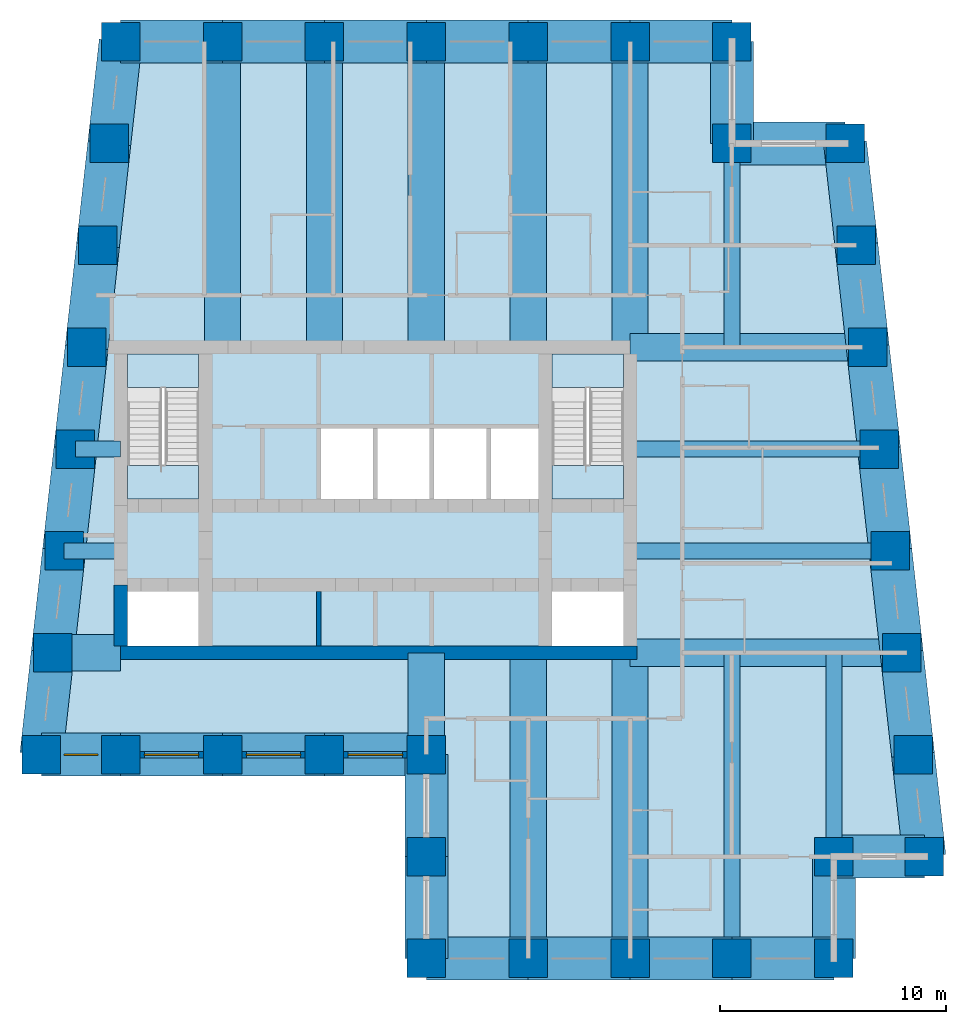
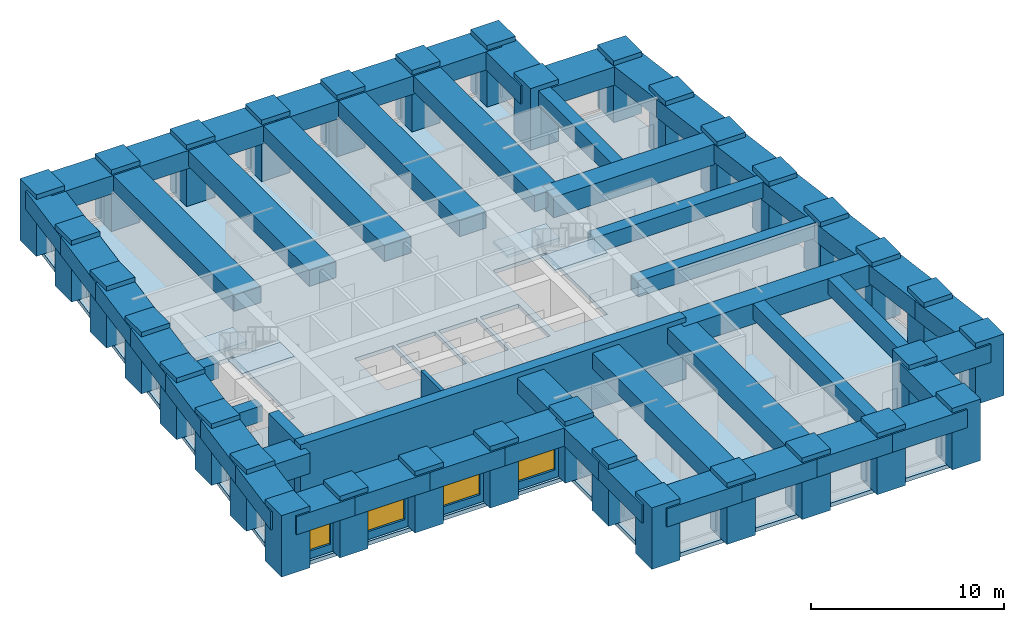
# One storey, part 1 of 7: 52 beams, 34 columns, 5 slabs, 4 walls, 4 windows, 4 openings, 2 elements without a shape of their own.
"""IFC4 building model written with IfcOpenShell, lengths in metres."""

from ifc_helpers import new_model, si_unit, direction, frame, frame_2d, origin, origin_2d, place, context, subcontext, project, spatial, polyline, rectangle, outline, extrude, material, layer, layer_set, material_profile, profile_set, type_object, element, fill, aggregate, save


model = new_model("IFC4")

# Units and contexts
model_context = context("Model", 3, precision=1e-05, world=origin(), true_north=direction((0.0, 1.0)))
body_context = subcontext(model_context, "Body", "Model", "MODEL_VIEW")
ifc_project = project(units=[si_unit("LENGTHUNIT", "METRE"), si_unit("AREAUNIT", "SQUARE_METRE"), si_unit("VOLUMEUNIT", "CUBIC_METRE"), si_unit("PLANEANGLEUNIT", "RADIAN"), si_unit("MASSUNIT", "GRAM", prefix="KILO")], contexts=[model_context])

# Site, building, storey
site_placement = place(None, origin())
site = spatial("IfcSite", under=ifc_project, at=site_placement, CompositionType="ELEMENT")
building_placement = place(site_placement, origin())
building = spatial("IfcBuilding", under=site, at=building_placement, Name="Kilele Tower Hotel", CompositionType="ELEMENT")
storey_placement = place(building_placement, frame((0.0, 0.0, 240.800048828125)))
storey = spatial("IfcBuildingStorey", under=building, at=storey_placement, Name="L62", CompositionType="ELEMENT", Elevation=240.800048828125)

# Columns
ifc_material_1 = material(Name="Concrete C60/75", Category="concrete")
ifc_material_profile_1 = material_profile(ifc_material_1, rectangle(XDim=1.699951171875, YDim=1.699951171875, at=origin_2d()))
ifc_profile_set_1 = profile_set([ifc_material_profile_1], Name="Concrete C60/75")
column_type = type_object("IfcColumnType", Name="Tube column RC 1700x1700 C60/75", PredefinedType="COLUMN", material=ifc_profile_set_1)
for number, where, z_axis, x_axis, name in (
    (1, (10.0, 9.0, 0.0), (0.0, 0.0, 1.0), (1.0, 0.0, 0.0), "Column TC4 L62"),
    (2, (13.5, 9.0, 0.0), (0.0, 0.0, 1.0), (1.0, 0.0, 0.0), "Column TC4 L62"),
    (3, (18.0, 9.0, 0.0), (0.0, 0.0, 1.0), (1.0, 0.0, 0.0), "Column TC4 L62"),
    (4, (22.5, 9.0, 0.0), (0.0, 0.0, 1.0), (1.0, 0.0, 0.0), "Column TC4 L62"),
    (5, (27.0, 9.0, 0.0), (0.0, 0.0, 1.0), (1.0, 0.0, 0.0), "Column TC4 L62"),
    (6, (27.0, 4.5, 0.0), (0.0, 0.0, 1.0), (1.0, 0.0, 0.0), "Column TC4 L62"),
    (7, (27.0, 0.0, 0.0), (0.0, 0.0, 1.0), (1.0, 0.0, 0.0), "Column TC4 L62"),
    (8, (31.5, 0.0, 0.0), (0.0, 0.0, 1.0), (1.0, 0.0, 0.0), "Column TC4 L62"),
    (9, (36.0, 0.0, 0.0), (0.0, 0.0, 1.0), (1.0, 0.0, 0.0), "Column TC4 L62"),
    (10, (40.5, 0.0, 0.0), (0.0, 0.0, 1.0), (1.0, 0.0, 0.0), "Column TC4 L62"),
    (11, (45.0, 0.0, 0.0), (0.0, 0.0, 1.0), (1.0, 0.0, 0.0), "Column TC4 L62"),
    (12, (45.0, 4.5, 0.0), (0.0, 0.0, 1.0), (1.0, 0.0, 0.0), "Column TC4 L62"),
    (13, (49.0, 4.5, 0.0), (0.0, 0.0, 1.0), (1.0, 0.0, 0.0), "Column TC4 L62"),
    (14, (48.5, 9.0, 0.0), (0.0, 0.0, 1.0), (1.0, 0.0, 0.0), "Column TC4 L62"),
    (15, (48.0, 13.5, 0.0), (0.0, 0.0, 1.0), (1.0, 0.0, 0.0), "Column TC4 L62"),
    (16, (47.5, 18.0, 0.0), (0.0, 0.0, 1.0), (1.0, 0.0, 0.0), "Column TC4 L62"),
    (17, (47.0, 22.5, 0.0), (0.0, 0.0, 1.0), (1.0, 0.0, 0.0), "Column TC4 L62"),
    (18, (46.5, 27.0, 0.0), (0.0, 0.0, 1.0), (1.0, 0.0, 0.0), "Column TC4 L62"),
    (19, (46.0, 31.5, 0.0), (0.0, 0.0, 1.0), (1.0, 0.0, 0.0), "Column TC4 L62"),
    (20, (45.5, 36.0, 0.0), (0.0, 0.0, 1.0), (1.0, 0.0, 0.0), "Column TC4 L62"),
    (21, (40.5, 36.0, 0.0), (0.0, 0.0, 1.0), (1.0, 0.0, 0.0), "Column TC4 L62"),
    (22, (40.5, 40.5, 0.0), (0.0, 0.0, 1.0), (1.0, 0.0, 0.0), "Column TC4 L62"),
    (23, (36.0, 40.5, 0.0), (0.0, 0.0, 1.0), (1.0, 0.0, 0.0), "Column TC4 L62"),
    (24, (31.5, 40.5, 0.0), (0.0, 0.0, 1.0), (1.0, 0.0, 0.0), "Column TC4 L62"),
    (25, (27.0, 40.5, 0.0), (0.0, 0.0, 1.0), (1.0, 0.0, 0.0), "Column TC4 L62"),
    (26, (22.5, 40.5, 0.0), (0.0, 0.0, 1.0), (1.0, 0.0, 0.0), "Column TC4 L62"),
    (27, (18.0, 40.5, 0.0), (0.0, 0.0, 1.0), (1.0, 0.0, 0.0), "Column TC4 L62"),
    (28, (13.5, 40.5, 0.0), (0.0, 0.0, 1.0), (1.0, 0.0, 0.0), "Column TC4 L62"),
    (29, (13.0, 36.0, 0.0), (0.0, 0.0, 1.0), (1.0, 0.0, 0.0), "Column TC4 L62"),
    (30, (12.5, 31.5, 0.0), (0.0, 0.0, 1.0), (1.0, 0.0, 0.0), "Column TC4 L62"),
    (31, (12.0, 27.0, 0.0), (0.0, 0.0, 1.0), (1.0, 0.0, 0.0), "Column TC4 L62"),
    (32, (11.5, 22.5, 0.0), (0.0, 0.0, 1.0), (1.0, 0.0, 0.0), "Column TC4 L62"),
    (33, (11.0, 18.0, 0.0), (0.0, 0.0, 1.0), (1.0, 0.0, 0.0), "Column TC4 L62"),
    (34, (10.5, 13.5, 0.0), (0.0, 0.0, 1.0), (1.0, 0.0, 0.0), "Column TC4 L62"),
):
    element("IfcColumn", number, at=place(storey_placement, frame(where, z_axis=z_axis, x_axis=x_axis)), inside=storey, type_object=column_type, Name=name, PredefinedType="COLUMN", context=body_context, shape_type="SweptSolid", body=[
        extrude(rectangle(XDim=1.699951171875, YDim=1.699951171875, at=origin_2d()), origin(), (0.0, 0.0, 1.0), 3.89990234375),
    ])

# Beams
ifc_material_2 = material(Name="Concrete C60/75", Category="concrete")
ifc_material_profile_2 = material_profile(ifc_material_2, rectangle(XDim=1.60009765625, YDim=1.0, at=origin_2d()))
ifc_profile_set_2 = profile_set([ifc_material_profile_2], Name="Concrete C60/75")
beam_type_1 = type_object("IfcBeamType", Name="Beam RC 1600x1000 C60/75", PredefinedType="BEAM", material=ifc_profile_set_2)
for number, where, z_axis, x_axis, name in (
    (35, (31.5, 0.0, 3.099853515625), (0.0, 1.0, 0.0), (-1.0, 0.0, 0.0), "Beam BC1 level L63"),
    (36, (36.0, 0.0, 3.099853515625), (0.0, 1.0, 0.0), (-1.0, 0.0, 0.0), "Beam BC1 level L63"),
    (37, (36.0, 40.5, 3.099853515625), (0.0, -1.0, 0.0), (1.0, 0.0, 0.0), "Beam BC1 level L63"),
    (38, (31.5, 40.5, 3.099853515625), (0.0, -1.0, 0.0), (1.0, 0.0, 0.0), "Beam BC1 level L63"),
    (39, (27.0, 40.5, 3.099853515625), (0.0, -1.0, 0.0), (1.0, 0.0, 0.0), "Beam BC1 level L63"),
    (40, (22.5, 40.5, 3.099853515625), (0.0, -1.0, 0.0), (1.0, 0.0, 0.0), "Beam BC1 level L63"),
    (41, (18.0, 40.5, 3.099853515625), (0.0, -1.0, 0.0), (1.0, 0.0, 0.0), "Beam BC1 level L63"),
):
    element("IfcBeam", number, at=place(storey_placement, frame(where, z_axis=z_axis, x_axis=x_axis)), inside=storey, type_object=beam_type_1, Name=name, PredefinedType="BEAM", context=body_context, shape_type="SweptSolid", body=[
        extrude(rectangle(XDim=1.60009765625, YDim=1.0, at=origin_2d()), origin(), (0.0, 0.0, 1.0), 13.5),
    ])
ifc_material_3 = material(Name="Concrete C60/75", Category="concrete")
ifc_material_profile_3 = material_profile(ifc_material_3, rectangle(XDim=1.60009765625, YDim=1.0, at=origin_2d()))
ifc_profile_set_3 = profile_set([ifc_material_profile_3], Name="Concrete C60/75")
beam_type_2 = type_object("IfcBeamType", Name="Beam RC 1600x1000 C60/75 short span", PredefinedType="BEAM", material=ifc_profile_set_3)
beam_1_placement = place(storey_placement, frame((27.0, 9.0, 3.099853515625), z_axis=(0.0, 1.0, 0.0), x_axis=(-1.0, 0.0, 0.0)))
element("IfcBeam", 42, at=beam_1_placement, inside=storey, type_object=beam_type_2, Name="Beam BC2 level L63", PredefinedType="BEAM", context=body_context, shape_type="SweptSolid", body=[
    extrude(rectangle(XDim=1.60009765625, YDim=1.0, at=origin_2d()), origin(), (0.0, 0.0, 1.0), 4.5),
])
ifc_material_4 = material(Name="Concrete C60/75", Category="concrete")
ifc_material_profile_4 = material_profile(ifc_material_4, rectangle(XDim=0.699951171875, YDim=1.0, at=origin_2d()))
ifc_profile_set_4 = profile_set([ifc_material_profile_4], Name="Concrete C60/75")
beam_type_3 = type_object("IfcBeamType", Name="Beam RC 700x1000 C60/75", PredefinedType="BEAM", material=ifc_profile_set_4)
beam_2_placement = place(storey_placement, frame((40.5, 0.0, 3.099853515625), z_axis=(0.0, 1.0, 0.0), x_axis=(-1.0, 0.0, 0.0)))
element("IfcBeam", 43, at=beam_2_placement, inside=storey, type_object=beam_type_3, Name="Beam B4 level L63", PredefinedType="BEAM", context=body_context, shape_type="SweptSolid", body=[
    extrude(rectangle(XDim=0.699951171875, YDim=1.0, at=origin_2d()), origin(), (0.0, 0.0, 1.0), 13.5),
])
ifc_material_5 = material(Name="Concrete C60/75", Category="concrete")
ifc_material_profile_5 = material_profile(ifc_material_5, rectangle(XDim=0.699951171875, YDim=1.0, at=origin_2d()))
ifc_profile_set_5 = profile_set([ifc_material_profile_5], Name="Concrete C60/75")
beam_type_4 = type_object("IfcBeamType", Name="Beam RC 700x1000 C60/75 mid span", PredefinedType="BEAM", material=ifc_profile_set_5)
beam_3_placement = place(storey_placement, frame((45.0, 4.5, 3.099853515625), z_axis=(0.0, 1.0, 0.0), x_axis=(-1.0, 0.0, 0.0)))
element("IfcBeam", 44, at=beam_3_placement, inside=storey, type_object=beam_type_4, Name="Beam B5 level L63", PredefinedType="BEAM", context=body_context, shape_type="SweptSolid", body=[
    extrude(rectangle(XDim=0.699951171875, YDim=1.0, at=origin_2d()), origin(), (0.0, 0.0, 1.0), 9.0),
])
beam_4_placement = place(storey_placement, frame((47.5, 18.0, 3.099853515625), z_axis=(-1.0, 0.0, 0.0), x_axis=(0.0, -1.0, 0.0)))
element("IfcBeam", 45, at=beam_4_placement, inside=storey, type_object=beam_type_4, Name="Beam B5 level L63", PredefinedType="BEAM", context=body_context, shape_type="SweptSolid", body=[
    extrude(rectangle(XDim=0.699951171875, YDim=1.0, at=origin_2d()), origin(), (0.0, 0.0, 1.0), 11.5),
])
beam_5_placement = place(storey_placement, frame((47.0, 22.5, 3.099853515625), z_axis=(-1.0, 0.0, 0.0), x_axis=(0.0, -1.0, 0.0)))
element("IfcBeam", 46, at=beam_5_placement, inside=storey, type_object=beam_type_4, Name="Beam B5 level L63", PredefinedType="BEAM", context=body_context, shape_type="SweptSolid", body=[
    extrude(rectangle(XDim=0.699951171875, YDim=1.0, at=origin_2d()), origin(), (0.0, 0.0, 1.0), 11.0),
])
beam_6_placement = place(storey_placement, frame((40.5, 36.0, 3.099853515625), z_axis=(0.0, -1.0, 0.0), x_axis=(1.0, 0.0, 0.0)))
element("IfcBeam", 47, at=beam_6_placement, inside=storey, type_object=beam_type_4, Name="Beam B5 level L63", PredefinedType="BEAM", context=body_context, shape_type="SweptSolid", body=[
    extrude(rectangle(XDim=0.699951171875, YDim=1.0, at=origin_2d()), origin(), (0.0, 0.0, 1.0), 9.0),
])
ifc_material_6 = material(Name="Concrete C60/75", Category="concrete")
ifc_material_profile_6 = material_profile(ifc_material_6, rectangle(XDim=0.699951171875, YDim=1.0, at=origin_2d()))
ifc_profile_set_6 = profile_set([ifc_material_profile_6], Name="Concrete C60/75")
beam_type_5 = type_object("IfcBeamType", Name="Beam RC 700x1000 C60/75 short span", PredefinedType="BEAM", material=ifc_profile_set_6)
beam_7_placement = place(storey_placement, frame((11.5, 22.5, 3.099853515625), z_axis=(1.0, 0.0, 0.0), x_axis=(0.0, 1.0, 0.0)))
element("IfcBeam", 48, at=beam_7_placement, inside=storey, type_object=beam_type_5, Name="Beam B6 level L63", PredefinedType="BEAM", context=body_context, shape_type="SweptSolid", body=[
    extrude(rectangle(XDim=0.699951171875, YDim=1.0, at=origin_2d()), origin(), (0.0, 0.0, 1.0), 2.0),
])
beam_8_placement = place(storey_placement, frame((11.0, 18.0, 3.099853515625), z_axis=(1.0, 0.0, 0.0), x_axis=(0.0, 1.0, 0.0)))
element("IfcBeam", 49, at=beam_8_placement, inside=storey, type_object=beam_type_5, Name="Beam B6 level L63", PredefinedType="BEAM", context=body_context, shape_type="SweptSolid", body=[
    extrude(rectangle(XDim=0.699951171875, YDim=1.0, at=origin_2d()), origin(), (0.0, 0.0, 1.0), 2.5),
])
ifc_material_7 = material(Name="Concrete C60/75", Category="concrete")
ifc_material_profile_7 = material_profile(ifc_material_7, rectangle(XDim=1.60009765625, YDim=1.300048828125, at=origin_2d()))
ifc_profile_set_7 = profile_set([ifc_material_profile_7], Name="Concrete C60/75")
beam_type_6 = type_object("IfcBeamType", Name="Coupling girder RC 1600x1300 C60/75", PredefinedType="BEAM", material=ifc_profile_set_7)
beam_9_placement = place(storey_placement, frame((10.5, 13.5, 2.949951171875), z_axis=(1.0, 0.0, 0.0), x_axis=(0.0, 1.0, 0.0)))
element("IfcBeam", 50, at=beam_9_placement, inside=storey, type_object=beam_type_6, Name="Coupling girder G2 level L63", PredefinedType="BEAM", context=body_context, shape_type="SweptSolid", body=[
    extrude(rectangle(XDim=1.60009765625, YDim=1.300048828125, at=origin_2d()), origin(), (0.0, 0.0, 1.0), 3.0),
])
ifc_material_8 = material(Name="Concrete C60/75", Category="concrete")
ifc_material_profile_8 = material_profile(ifc_material_8, rectangle(XDim=1.199951171875, YDim=1.300048828125, at=origin_2d()))
ifc_profile_set_8 = profile_set([ifc_material_profile_8], Name="Concrete C60/75")
beam_type_7 = type_object("IfcBeamType", Name="Girder RC 1200x1300 C60/75", PredefinedType="BEAM", material=ifc_profile_set_8)
beam_10_placement = place(storey_placement, frame((48.0, 13.5, 2.949951171875), z_axis=(-1.0, 0.0, 0.0), x_axis=(0.0, -1.0, 0.0)))
element("IfcBeam", 51, at=beam_10_placement, inside=storey, type_object=beam_type_7, Name="Girder G1 level L63", PredefinedType="BEAM", context=body_context, shape_type="SweptSolid", body=[
    extrude(rectangle(XDim=1.199951171875, YDim=1.300048828125, at=origin_2d()), origin(), (0.0, 0.0, 1.0), 12.0),
])
ifc_material_9 = material(Name="Concrete C60/75", Category="concrete")
ifc_material_profile_9 = material_profile(ifc_material_9, rectangle(XDim=1.199951171875, YDim=1.300048828125, at=origin_2d()))
ifc_profile_set_9 = profile_set([ifc_material_profile_9], Name="Concrete C60/75")
beam_type_8 = type_object("IfcBeamType", Name="Girder RC 1200x1300 C60/75 mid span", PredefinedType="BEAM", material=ifc_profile_set_9)
beam_11_placement = place(storey_placement, frame((46.5, 27.0, 2.949951171875), z_axis=(-1.0, 0.0, 0.0), x_axis=(0.0, -1.0, 0.0)))
element("IfcBeam", 52, at=beam_11_placement, inside=storey, type_object=beam_type_8, Name="Girder G3 level L63", PredefinedType="BEAM", context=body_context, shape_type="SweptSolid", body=[
    extrude(rectangle(XDim=1.199951171875, YDim=1.300048828125, at=origin_2d()), origin(), (0.0, 0.0, 1.0), 10.5),
])
ifc_material_10 = material(Name="Concrete C60/75", Category="concrete")
ifc_material_profile_10 = material_profile(ifc_material_10, rectangle(XDim=1.89990234375, YDim=1.14990234375, at=origin_2d()))
ifc_profile_set_10 = profile_set([ifc_material_profile_10], Name="Concrete C60/75")
beam_type_9 = type_object("IfcBeamType", Name="Spandrel RC 1900x1150 C60/75", PredefinedType="SPANDREL", material=ifc_profile_set_10)
beam_12_placement = place(storey_placement, frame((10.0, 9.0, 3.02490234375), z_axis=(1.0, 0.0, 0.0), x_axis=(0.0, 1.0, 0.0)))
element("IfcBeam", 53, at=beam_12_placement, inside=storey, type_object=beam_type_9, Name="Spandrel SP8 level L63", PredefinedType="SPANDREL", context=body_context, shape_type="SweptSolid", body=[
    extrude(rectangle(XDim=1.89990234375, YDim=1.14990234375, at=origin_2d()), origin(), (0.0, 0.0, 1.0), 3.5),
])
for number, where, z_axis, x_axis, name in (
    (54, (13.5, 9.0, 3.02490234375), (1.0, 0.0, 0.0), (0.0, 1.0, 0.0), "Spandrel SP8 level L63"),
    (55, (18.0, 9.0, 3.02490234375), (1.0, 0.0, 0.0), (0.0, 1.0, 0.0), "Spandrel SP8 level L63"),
    (56, (22.5, 9.0, 3.02490234375), (1.0, 0.0, 0.0), (0.0, 1.0, 0.0), "Spandrel SP8 level L63"),
    (57, (27.0, 9.0, 3.02490234375), (0.0, -1.0, 0.0), (1.0, 0.0, 0.0), "Spandrel SP8 level L63"),
    (58, (27.0, 4.5, 3.02490234375), (0.0, -1.0, 0.0), (1.0, 0.0, 0.0), "Spandrel SP8 level L63"),
    (59, (27.0, 0.0, 3.02490234375), (1.0, 0.0, 0.0), (0.0, 1.0, 0.0), "Spandrel SP8 level L63"),
    (60, (31.5, 0.0, 3.02490234375), (1.0, 0.0, 0.0), (0.0, 1.0, 0.0), "Spandrel SP8 level L63"),
    (61, (36.0, 0.0, 3.02490234375), (1.0, 0.0, 0.0), (0.0, 1.0, 0.0), "Spandrel SP8 level L63"),
    (62, (40.5, 0.0, 3.02490234375), (1.0, 0.0, 0.0), (0.0, 1.0, 0.0), "Spandrel SP8 level L63"),
    (63, (45.0, 0.0, 3.02490234375), (0.0, 1.0, 0.0), (-1.0, 0.0, 0.0), "Spandrel SP8 level L63"),
):
    element("IfcBeam", number, at=place(storey_placement, frame(where, z_axis=z_axis, x_axis=x_axis)), inside=storey, type_object=beam_type_9, Name=name, PredefinedType="SPANDREL", context=body_context, shape_type="SweptSolid", body=[
        extrude(rectangle(XDim=1.89990234375, YDim=1.14990234375, at=origin_2d()), origin(), (0.0, 0.0, 1.0), 4.5),
    ])
beam_13_placement = place(storey_placement, frame((45.0, 4.5, 3.02490234375), z_axis=(1.0, 0.0, 0.0), x_axis=(0.0, 1.0, 0.0)))
element("IfcBeam", 64, at=beam_13_placement, inside=storey, type_object=beam_type_9, Name="Spandrel SP8 level L63", PredefinedType="SPANDREL", context=body_context, shape_type="SweptSolid", body=[
    extrude(rectangle(XDim=1.89990234375, YDim=1.14990234375, at=origin_2d()), origin(), (0.0, 0.0, 1.0), 4.0),
])
for number, where, z_axis, x_axis, name in (
    (65, (49.0, 4.5, 3.02490234375), (-0.110431526075, 0.993883734674, 0.0), (-0.993883734674, -0.110431526075, 0.0), "Spandrel SP8 level L63"),
    (66, (48.5, 9.0, 3.02490234375), (-0.110431526075, 0.993883734674, 0.0), (-0.993883734674, -0.110431526075, 0.0), "Spandrel SP8 level L63"),
    (67, (48.0, 13.5, 3.02490234375), (-0.110431526075, 0.993883734674, 0.0), (-0.993883734674, -0.110431526075, 0.0), "Spandrel SP8 level L63"),
    (68, (47.5, 18.0, 3.02490234375), (-0.110431526075, 0.993883734674, 0.0), (-0.993883734674, -0.110431526075, 0.0), "Spandrel SP8 level L63"),
    (69, (47.0, 22.5, 3.02490234375), (-0.110431526075, 0.993883734674, 0.0), (-0.993883734674, -0.110431526075, 0.0), "Spandrel SP8 level L63"),
    (70, (46.5, 27.0, 3.02490234375), (-0.110431526075, 0.993883734674, 0.0), (-0.993883734674, -0.110431526075, 0.0), "Spandrel SP8 level L63"),
    (71, (46.0, 31.5, 3.02490234375), (-0.110431526075, 0.993883734674, 0.0), (-0.993883734674, -0.110431526075, 0.0), "Spandrel SP8 level L63"),
):
    element("IfcBeam", number, at=place(storey_placement, frame(where, z_axis=z_axis, x_axis=x_axis)), inside=storey, type_object=beam_type_9, Name=name, PredefinedType="SPANDREL", context=body_context, shape_type="SweptSolid", body=[
        extrude(rectangle(XDim=1.89990234375, YDim=1.14990234375, at=origin_2d()), origin(), (0.0, 0.0, 1.0), 4.527587890625),
    ])
beam_14_placement = place(storey_placement, frame((45.5, 36.0, 3.02490234375), z_axis=(-1.0, 0.0, 0.0), x_axis=(0.0, -1.0, 0.0)))
element("IfcBeam", 72, at=beam_14_placement, inside=storey, type_object=beam_type_9, Name="Spandrel SP8 level L63", PredefinedType="SPANDREL", context=body_context, shape_type="SweptSolid", body=[
    extrude(rectangle(XDim=1.89990234375, YDim=1.14990234375, at=origin_2d()), origin(), (0.0, 0.0, 1.0), 5.0),
])
for number, where, z_axis, x_axis, name in (
    (73, (40.5, 36.0, 3.02490234375), (0.0, 1.0, 0.0), (-1.0, 0.0, 0.0), "Spandrel SP8 level L63"),
    (74, (40.5, 40.5, 3.02490234375), (-1.0, 0.0, 0.0), (0.0, -1.0, 0.0), "Spandrel SP8 level L63"),
    (75, (36.0, 40.5, 3.02490234375), (-1.0, 0.0, 0.0), (0.0, -1.0, 0.0), "Spandrel SP8 level L63"),
    (76, (31.5, 40.5, 3.02490234375), (-1.0, 0.0, 0.0), (0.0, -1.0, 0.0), "Spandrel SP8 level L63"),
    (77, (27.0, 40.5, 3.02490234375), (-1.0, 0.0, 0.0), (0.0, -1.0, 0.0), "Spandrel SP8 level L63"),
    (78, (22.5, 40.5, 3.02490234375), (-1.0, 0.0, 0.0), (0.0, -1.0, 0.0), "Spandrel SP8 level L63"),
    (79, (18.0, 40.5, 3.02490234375), (-1.0, 0.0, 0.0), (0.0, -1.0, 0.0), "Spandrel SP8 level L63"),
):
    element("IfcBeam", number, at=place(storey_placement, frame(where, z_axis=z_axis, x_axis=x_axis)), inside=storey, type_object=beam_type_9, Name=name, PredefinedType="SPANDREL", context=body_context, shape_type="SweptSolid", body=[
        extrude(rectangle(XDim=1.89990234375, YDim=1.14990234375, at=origin_2d()), origin(), (0.0, 0.0, 1.0), 4.5),
    ])
for number, where, z_axis, x_axis, name in (
    (80, (13.5, 40.5, 3.02490234375), (-0.110431526075, -0.993883734674, 0.0), (0.993883734674, -0.110431526075, 0.0), "Spandrel SP8 level L63"),
    (81, (13.0, 36.0, 3.02490234375), (-0.110431526075, -0.993883734674, 0.0), (0.993883734674, -0.110431526075, 0.0), "Spandrel SP8 level L63"),
    (82, (12.5, 31.5, 3.02490234375), (-0.110431526075, -0.993883734674, 0.0), (0.993883734674, -0.110431526075, 0.0), "Spandrel SP8 level L63"),
    (83, (12.0, 27.0, 3.02490234375), (-0.110431526075, -0.993883734674, 0.0), (0.993883734674, -0.110431526075, 0.0), "Spandrel SP8 level L63"),
    (84, (11.5, 22.5, 3.02490234375), (-0.110431526075, -0.993883734674, 0.0), (0.993883734674, -0.110431526075, 0.0), "Spandrel SP8 level L63"),
    (85, (11.0, 18.0, 3.02490234375), (-0.110431526075, -0.993883734674, 0.0), (0.993883734674, -0.110431526075, 0.0), "Spandrel SP8 level L63"),
    (86, (10.5, 13.5, 3.02490234375), (-0.110431526075, -0.993883734674, 0.0), (0.993883734674, -0.110431526075, 0.0), "Spandrel SP8 level L63"),
):
    element("IfcBeam", number, at=place(storey_placement, frame(where, z_axis=z_axis, x_axis=x_axis)), inside=storey, type_object=beam_type_9, Name=name, PredefinedType="SPANDREL", context=body_context, shape_type="SweptSolid", body=[
        extrude(rectangle(XDim=1.89990234375, YDim=1.14990234375, at=origin_2d()), origin(), (0.0, 0.0, 1.0), 4.527587890625),
    ])

# Slab
ifc_material_11 = material(Name="Concrete C60/75", Category="concrete")
ifc_layer_1 = layer(ifc_material_11, 0.25)
ifc_layer_set_1 = layer_set([ifc_layer_1], Name="Concrete C60/75")
slab_type_1 = type_object("IfcSlabType", Name="Floor slab 250", PredefinedType="FLOOR", material=ifc_layer_set_1)
slab_1_placement = place(storey_placement, frame((0.0, 0.0, -0.25)))
element("IfcSlab", 87, at=slab_1_placement, inside=storey, type_object=slab_type_1, Name="Floor slab L62", PredefinedType="FLOOR", context=body_context, shape_type="SweptSolid", body=[
    extrude(outline(polyline([(40.800048828125, 40.800048828125), (40.800048828125, 36.300048828125), (45.7685546875, 36.300048828125), (49.335205078125, 4.199951171875), (45.300048828125, 4.199951171875), (45.300048828125, -0.300048828125), (26.699951171875, -0.300048828125), (26.699951171875, 8.699951171875), (9.664794921875, 8.699951171875), (13.2314453125, 40.800048828125), (40.800048828125, 40.800048828125)]), holes=[polyline([(16.949951171875, 16.199951171875), (13.800048828125, 16.199951171875), (13.800048828125, 13.800048828125), (16.949951171875, 13.800048828125), (16.949951171875, 16.199951171875)]), polyline([(35.699951171875, 16.199951171875), (32.550048828125, 16.199951171875), (32.550048828125, 13.800048828125), (35.699951171875, 13.800048828125), (35.699951171875, 16.199951171875)]), polyline([(24.64990234375, 23.39990234375), (22.35009765625, 23.39990234375), (22.35009765625, 20.10009765625), (24.64990234375, 20.10009765625), (24.64990234375, 23.39990234375)]), polyline([(27.14990234375, 23.39990234375), (24.85009765625, 23.39990234375), (24.85009765625, 20.10009765625), (27.14990234375, 20.10009765625), (27.14990234375, 23.39990234375)]), polyline([(29.64990234375, 23.39990234375), (27.35009765625, 23.39990234375), (27.35009765625, 20.10009765625), (29.64990234375, 20.10009765625), (29.64990234375, 23.39990234375)]), polyline([(32.14990234375, 23.39990234375), (29.85009765625, 23.39990234375), (29.85009765625, 20.10009765625), (32.14990234375, 20.10009765625), (32.14990234375, 23.39990234375)]), polyline([(16.949951171875, 26.699951171875), (13.800048828125, 26.699951171875), (13.800048828125, 20.300048828125), (16.949951171875, 20.300048828125), (16.949951171875, 26.699951171875)]), polyline([(35.699951171875, 26.699951171875), (32.550048828125, 26.699951171875), (32.550048828125, 20.300048828125), (35.699951171875, 20.300048828125), (35.699951171875, 26.699951171875)])]), origin(), (0.0, 0.0, 1.0), 0.25),
])

# Stair, slabs
ifc_material_12 = material(Name="Precast concrete C40/50", Category="concrete")
stair_type = type_object("IfcStairType", Name="Stair 1475 x 3900", PredefinedType="HALF_TURN_STAIR", material=ifc_material_12)
stair_1_placement = place(storey_placement, origin())
stair_1 = element("IfcStair", 88, at=stair_1_placement, inside=storey, type_object=stair_type, Name="Stair 1 L62", PredefinedType="HALF_TURN_STAIR")
ifc_material_13 = material(Name="Precast concrete C40/50", Category="concrete")
ifc_layer_2 = layer(ifc_material_13, 0.199951171875)
ifc_layer_set_2 = layer_set([ifc_layer_2], Name="Precast concrete C40/50")
slab_type_2 = type_object("IfcSlabType", Name="Stair landing 200", PredefinedType="LANDING", material=ifc_layer_set_2)
slab_2_placement = place(storey_placement, frame((0.0, 0.0, 1.6650390625)))
slab_2 = element("IfcSlab", 89, at=slab_2_placement, type_object=slab_type_2, Name="ST1 landing 1", PredefinedType="LANDING", context=body_context, shape_type="SweptSolid", body=[
    extrude(outline(polyline([(13.800048828125, 25.22509765625), (16.949951171875, 25.22509765625), (16.949951171875, 26.699951171875), (13.800048828125, 26.699951171875), (13.800048828125, 25.22509765625)])), origin(), (0.0, 0.0, 1.0), 0.2001953125),
])
slab_3_placement = place(storey_placement, frame((0.0, 0.0, 3.699951171875)))
slab_3 = element("IfcSlab", 90, at=slab_3_placement, type_object=slab_type_2, Name="ST1 landing 2", PredefinedType="LANDING", context=body_context, shape_type="SweptSolid", body=[
    extrude(outline(polyline([(13.800048828125, 20.300048828125), (16.949951171875, 20.300048828125), (16.949951171875, 21.77490234375), (13.800048828125, 21.77490234375), (13.800048828125, 20.300048828125)])), origin(), (0.0, 0.0, 1.0), 0.199951171875),
])
aggregate(stair_1, [slab_2, slab_3])

stair_2_placement = place(storey_placement, origin())
stair_2 = element("IfcStair", 91, at=stair_2_placement, inside=storey, type_object=stair_type, Name="Stair 2 L62", PredefinedType="HALF_TURN_STAIR")
slab_4_placement = place(storey_placement, frame((0.0, 0.0, 1.6650390625)))
slab_4 = element("IfcSlab", 92, at=slab_4_placement, type_object=slab_type_2, Name="ST2 landing 1", PredefinedType="LANDING", context=body_context, shape_type="SweptSolid", body=[
    extrude(outline(polyline([(32.550048828125, 25.22509765625), (35.699951171875, 25.22509765625), (35.699951171875, 26.699951171875), (32.550048828125, 26.699951171875), (32.550048828125, 25.22509765625)])), origin(), (0.0, 0.0, 1.0), 0.2001953125),
])
slab_5_placement = place(storey_placement, frame((0.0, 0.0, 3.699951171875)))
slab_5 = element("IfcSlab", 93, at=slab_5_placement, type_object=slab_type_2, Name="ST2 landing 2", PredefinedType="LANDING", context=body_context, shape_type="SweptSolid", body=[
    extrude(outline(polyline([(32.550048828125, 20.300048828125), (35.699951171875, 20.300048828125), (35.699951171875, 21.77490234375), (32.550048828125, 21.77490234375), (32.550048828125, 20.300048828125)])), origin(), (0.0, 0.0, 1.0), 0.199951171875),
])
aggregate(stair_2, [slab_4, slab_5])

# Walls
ifc_material_14 = material(Name="Concrete C60/75", Category="concrete")
ifc_layer_3 = layer(ifc_material_14, 0.60009765625)
ifc_layer_set_3 = layer_set([ifc_layer_3], Name="Concrete C60/75")
wall_type_1 = type_object("IfcWallType", Name="Core wall 600 C60/75", PredefinedType="SHEAR", material=ifc_layer_set_3)
wall_1_placement = place(storey_placement, frame((13.199951171875, 13.5, 0.0), z_axis=(0.0, 0.0, 1.0), x_axis=(1.0, 0.0, 0.0)))
element("IfcWall", 94, at=wall_1_placement, inside=storey, type_object=wall_type_1, Name="Core wall S L62", PredefinedType="SHEAR", context=body_context, shape_type="SweptSolid", body=[
    extrude(rectangle(XDim=23.10009765625, YDim=0.60009765625, at=frame_2d((11.550048828125, 0.0))), origin(), (0.0, 0.0, 1.0), 3.89990234375),
])
wall_2_placement = place(storey_placement, frame((13.5, 16.5, 0.0), z_axis=(0.0, 0.0, 1.0), x_axis=(0.0, -1.0, 0.0)))
element("IfcWall", 95, at=wall_2_placement, inside=storey, type_object=wall_type_1, Name="Core wall W3 L62", PredefinedType="SHEAR", context=body_context, shape_type="SweptSolid", body=[
    extrude(rectangle(XDim=2.699951171875, YDim=0.60009765625, at=frame_2d((1.35009765625, 0.0))), origin(), (0.0, 0.0, 1.0), 3.89990234375),
])

# Wall, openings, windows
ifc_material_15 = material(Name="Concrete C40/50 precast", Category="concrete")
ifc_layer_4 = layer(ifc_material_15, 0.260009765625, Name="Precast backing", Category="LoadBearing")
ifc_material_16 = material(Name="Reconstituted stone finish", Category="masonry")
ifc_layer_5 = layer(ifc_material_16, 0.0400390625, Name="Face mix", Category="Finish")
ifc_layer_set_4 = layer_set([ifc_layer_4, ifc_layer_5], Name="Precast concrete C40/50, reconstituted stone finish")
wall_type_2 = type_object("IfcWallType", Name="Precast stone facade wall 300", PredefinedType="STANDARD", material=ifc_layer_set_4)
wall_3_placement = place(storey_placement, frame((9.85009765625, 9.0, 0.0), z_axis=(0.0, 0.0, 1.0), x_axis=(1.0, 0.0, 0.0)))
wall_3 = element("IfcWall", 96, at=wall_3_placement, inside=storey, type_object=wall_type_2, Name="Facade wall L62 edge 1", PredefinedType="STANDARD", context=body_context, shape_type="SweptSolid", body=[
    extrude(rectangle(XDim=17.2998046875, YDim=0.300048828125, at=frame_2d((8.64990234375, 0.0))), origin(), (0.0, 0.0, 1.0), 2.449951171875),
])
opening_1_placement = place(wall_3_placement, frame((1.14990234375, 0.0, 0.5)))
opening_1 = element("IfcOpeningElement", 97, at=opening_1_placement, cuts=wall_3, Name="Opening W4", PredefinedType="OPENING", context=body_context, shape_type="SweptSolid", body=[
    extrude(rectangle(XDim=1.5, YDim=1.75, at=frame_2d((0.75, 0.875))), frame((0.0, 0.159912109375, 0.0), z_axis=(0.0, -1.0, 0.0), x_axis=(1.0, 0.0, 0.0)), (0.0, 0.0, 1.0), 0.320068359375),
])
opening_2_placement = place(wall_3_placement, frame((4.699951171875, 0.0, 0.5)))
opening_2 = element("IfcOpeningElement", 98, at=opening_2_placement, cuts=wall_3, Name="Opening W4", PredefinedType="OPENING", context=body_context, shape_type="SweptSolid", body=[
    extrude(rectangle(XDim=2.39990234375, YDim=1.75, at=frame_2d((1.199951171875, 0.875))), frame((0.0, 0.159912109375, 0.0), z_axis=(0.0, -1.0, 0.0), x_axis=(1.0, 0.0, 0.0)), (0.0, 0.0, 1.0), 0.320068359375),
])
opening_3_placement = place(wall_3_placement, frame((9.199951171875, 0.0, 0.5)))
opening_3 = element("IfcOpeningElement", 99, at=opening_3_placement, cuts=wall_3, Name="Opening W4", PredefinedType="OPENING", context=body_context, shape_type="SweptSolid", body=[
    extrude(rectangle(XDim=2.39990234375, YDim=1.75, at=frame_2d((1.199951171875, 0.875))), frame((0.0, 0.159912109375, 0.0), z_axis=(0.0, -1.0, 0.0), x_axis=(1.0, 0.0, 0.0)), (0.0, 0.0, 1.0), 0.320068359375),
])
opening_4_placement = place(wall_3_placement, frame((13.699951171875, 0.0, 0.5)))
opening_4 = element("IfcOpeningElement", 100, at=opening_4_placement, cuts=wall_3, Name="Opening W4", PredefinedType="OPENING", context=body_context, shape_type="SweptSolid", body=[
    extrude(rectangle(XDim=2.39990234375, YDim=1.75, at=frame_2d((1.199951171875, 0.875))), frame((0.0, 0.159912109375, 0.0), z_axis=(0.0, -1.0, 0.0), x_axis=(1.0, 0.0, 0.0)), (0.0, 0.0, 1.0), 0.320068359375),
])
ifc_material_17 = material(Name="Aluminium frame, clear double glazing", Category="aluminium")
window_type_1 = type_object("IfcWindowType", Name="Window W4 1500 x 1750", PartitioningType="SINGLE_PANEL", PredefinedType="WINDOW", material=ifc_material_17)
window_1_placement = place(opening_1_placement, origin())
window_1 = element("IfcWindow", 101, at=window_1_placement, inside=storey, type_object=window_type_1, Name="Window L62", OverallHeight=1.75, OverallWidth=1.5, PartitioningType="SINGLE_PANEL", PredefinedType="WINDOW", context=body_context, shape_type="SweptSolid", body=[
    extrude(rectangle(XDim=1.5, YDim=1.75, at=frame_2d((0.75, 0.875))), frame((0.0, 0.030029296875, 0.0), z_axis=(0.0, -1.0, 0.0), x_axis=(1.0, 0.0, 0.0)), (0.0, 0.0, 1.0), 0.06005859375),
])
fill(opening_1, window_1)
ifc_material_18 = material(Name="Aluminium frame, clear double glazing", Category="aluminium")
window_type_2 = type_object("IfcWindowType", Name="Window W4 2400 x 1750", PartitioningType="SINGLE_PANEL", PredefinedType="WINDOW", material=ifc_material_18)
window_2_placement = place(opening_2_placement, origin())
window_2 = element("IfcWindow", 102, at=window_2_placement, inside=storey, type_object=window_type_2, Name="Window L62", OverallHeight=1.75, OverallWidth=2.39990234375, PartitioningType="SINGLE_PANEL", PredefinedType="WINDOW", context=body_context, shape_type="SweptSolid", body=[
    extrude(rectangle(XDim=2.39990234375, YDim=1.75, at=frame_2d((1.199951171875, 0.875))), frame((0.0, 0.030029296875, 0.0), z_axis=(0.0, -1.0, 0.0), x_axis=(1.0, 0.0, 0.0)), (0.0, 0.0, 1.0), 0.06005859375),
])
fill(opening_2, window_2)
window_3_placement = place(opening_3_placement, origin())
window_3 = element("IfcWindow", 103, at=window_3_placement, inside=storey, type_object=window_type_2, Name="Window L62", OverallHeight=1.75, OverallWidth=2.39990234375, PartitioningType="SINGLE_PANEL", PredefinedType="WINDOW", context=body_context, shape_type="SweptSolid", body=[
    extrude(rectangle(XDim=2.39990234375, YDim=1.75, at=frame_2d((1.199951171875, 0.875))), frame((0.0, 0.030029296875, 0.0), z_axis=(0.0, -1.0, 0.0), x_axis=(1.0, 0.0, 0.0)), (0.0, 0.0, 1.0), 0.06005859375),
])
fill(opening_3, window_3)
window_4_placement = place(opening_4_placement, origin())
window_4 = element("IfcWindow", 104, at=window_4_placement, inside=storey, type_object=window_type_2, Name="Window L62", OverallHeight=1.75, OverallWidth=2.39990234375, PartitioningType="SINGLE_PANEL", PredefinedType="WINDOW", context=body_context, shape_type="SweptSolid", body=[
    extrude(rectangle(XDim=2.39990234375, YDim=1.75, at=frame_2d((1.199951171875, 0.875))), frame((0.0, 0.030029296875, 0.0), z_axis=(0.0, -1.0, 0.0), x_axis=(1.0, 0.0, 0.0)), (0.0, 0.0, 1.0), 0.06005859375),
])
fill(opening_4, window_4)

# Wall
ifc_material_19 = material(Name="Blockwork, fire-rated", Category="masonry")
ifc_layer_6 = layer(ifc_material_19, 0.199951171875)
ifc_layer_set_5 = layer_set([ifc_layer_6], Name="Blockwork, fire-rated")
wall_type_3 = type_object("IfcWallType", Name="Shaft wall 200", PredefinedType="PARTITIONING", material=ifc_layer_set_5)
wall_4_placement = place(storey_placement, frame((22.25, 13.800048828125, 0.0), z_axis=(0.0, 0.0, 1.0), x_axis=(0.0, 1.0, 0.0)))
element("IfcWall", 105, at=wall_4_placement, inside=storey, type_object=wall_type_3, Name="Shaft wall 200 L62", PredefinedType="PARTITIONING", context=body_context, shape_type="SweptSolid", body=[
    extrude(rectangle(XDim=2.39990234375, YDim=0.199951171875, at=frame_2d((1.199951171875, 0.0))), origin(), (0.0, 0.0, 1.0), 3.64990234375),
])

save(model, "model.ifc")
